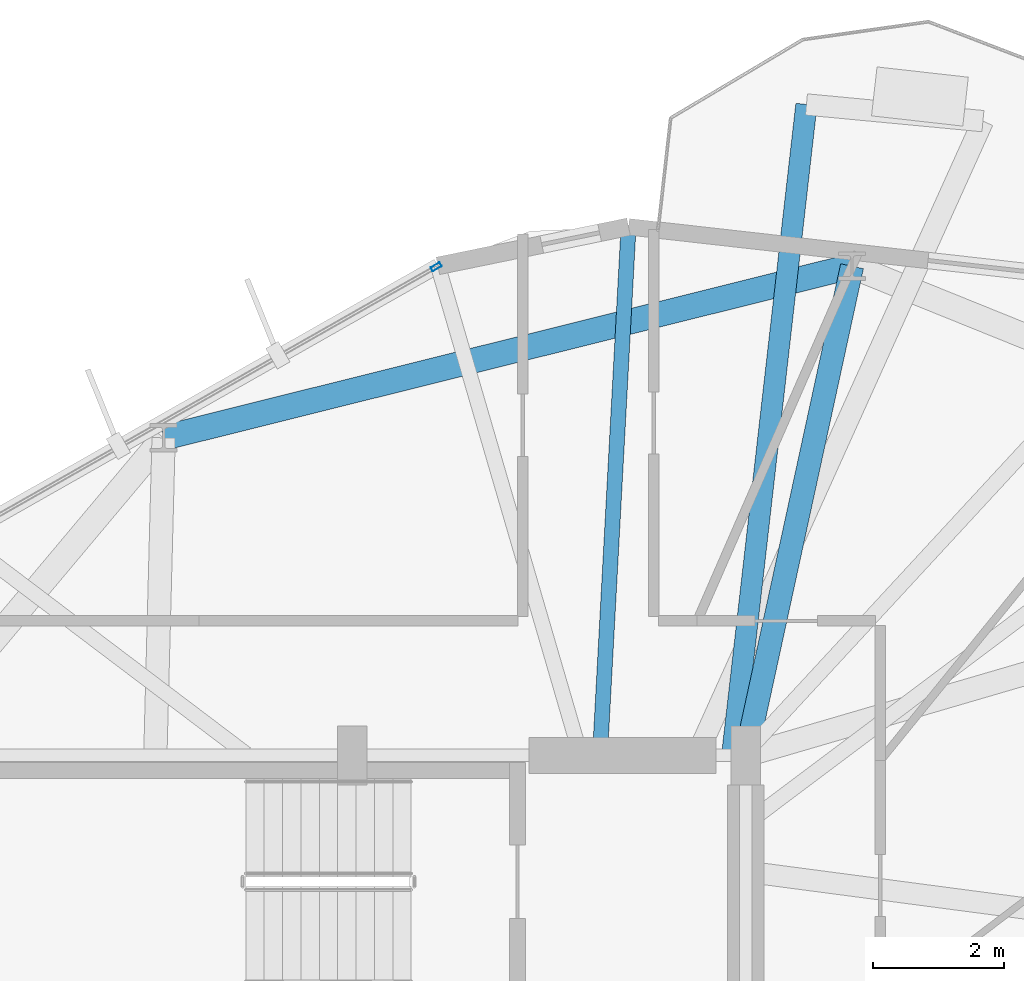
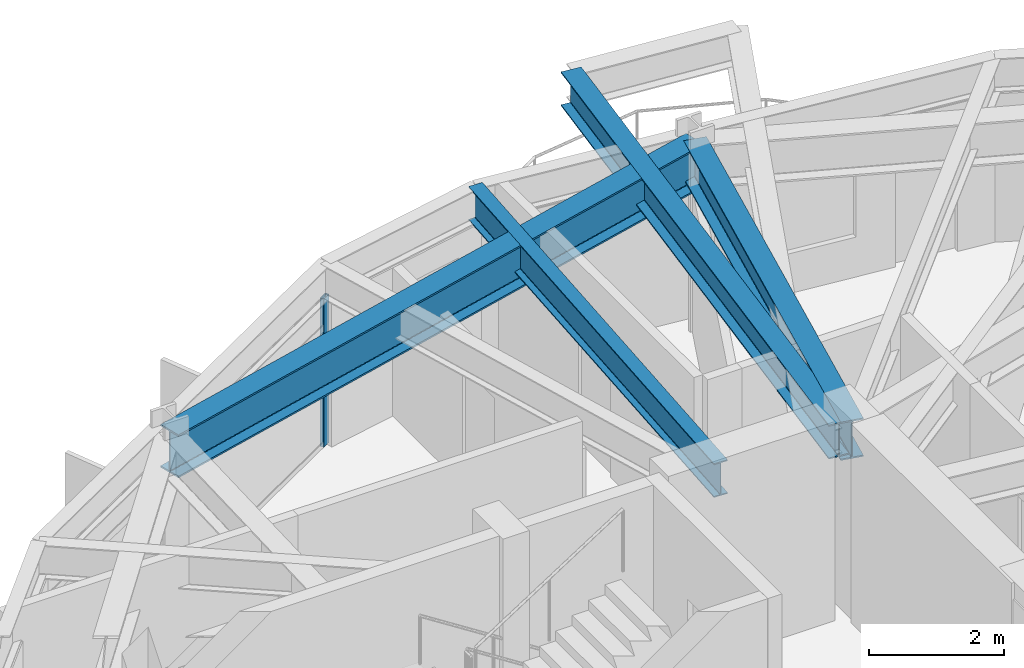
# One storey, part 13 of 22: 4 beams, 1 member, 1 element without a shape of its own.
"""IFC4 building model written with IfcOpenShell, lengths in metres."""

from ifc_helpers import new_model, si_unit, direction, frame, origin, origin_2d, place, context, subcontext, project, spatial, hollow_rectangle, i_section, extrude, material, layer, layer_set, material_profile, profile_set, type_object, element, aggregate, save


model = new_model("IFC4")

# Units and contexts
model_context = context("Model", 3, precision=1e-05, world=origin(), true_north=direction((0.0, 1.0)))
body_context = subcontext(model_context, "Body", "Model", "MODEL_VIEW")
ifc_project = project(units=[si_unit("LENGTHUNIT", "METRE"), si_unit("AREAUNIT", "SQUARE_METRE"), si_unit("VOLUMEUNIT", "CUBIC_METRE"), si_unit("PLANEANGLEUNIT", "RADIAN"), si_unit("MASSUNIT", "GRAM", prefix="KILO")], contexts=[model_context])

# Site, building, storey
site_placement = place(None, origin())
site = spatial("IfcSite", under=ifc_project, at=site_placement, CompositionType="ELEMENT")
building_placement = place(site_placement, origin())
building = spatial("IfcBuilding", under=site, at=building_placement, Name="Soratama Intermodal Tower", CompositionType="ELEMENT")
storey_placement = place(building_placement, frame((0.0, 0.0, 142.60009765625)))
storey = spatial("IfcBuildingStorey", under=building, at=storey_placement, Name="L34", CompositionType="ELEMENT", Elevation=142.60009765625)

# Beams
ifc_material_1 = material(Name="Structural steel ASTM A992 Grade 50", Category="steel")
ifc_material_profile_1 = material_profile(ifc_material_1, i_section(OverallWidth=0.324951171875, OverallDepth=0.615966796875, WebThickness=0.013916015625, FlangeThickness=0.021484375, FilletRadius=0.013916015625, at=origin_2d()), Name="W24X117")
ifc_profile_set_1 = profile_set([ifc_material_profile_1], Name="Structural steel ASTM A992 Grade 50")
beam_type_1 = type_object("IfcBeamType", Name="BM-CANT-W24X117", PredefinedType="BEAM", material=ifc_profile_set_1)
beam_1_placement = place(storey_placement, frame((44.39794921875, 35.0400390625, 2.991943359375), z_axis=(0.113391535789, 0.993550381013, 0.0), x_axis=(-0.993550381013, 0.113391535789, 0.0)))
element("IfcBeam", 1, at=beam_1_placement, inside=storey, type_object=beam_type_1, Name="BM-L34-CANT-2-2", PredefinedType="BEAM", context=body_context, shape_type="SweptSolid", body=[
    extrude(i_section(OverallWidth=0.324951171875, OverallDepth=0.615966796875, WebThickness=0.013916015625, FlangeThickness=0.021484375, FilletRadius=0.013916015625, at=origin_2d()), origin(), (0.0, 0.0, 1.0), 9.947265625),
])
ifc_material_2 = material(Name="Structural steel ASTM A992 Grade 50", Category="steel")
ifc_material_profile_2 = material_profile(ifc_material_2, i_section(OverallWidth=0.35498046875, OverallDepth=0.695068359375, WebThickness=0.015380859375, FlangeThickness=0.02490234375, FilletRadius=0.01611328125, at=origin_2d()), Name="W27X146")
ifc_profile_set_2 = profile_set([ifc_material_profile_2], Name="Structural steel ASTM A992 Grade 50")
beam_type_2 = type_object("IfcBeamType", Name="BM-RING-W27X146", PredefinedType="BEAM", material=ifc_profile_set_2)
beam_2_placement = place(storey_placement, frame((44.60009765625, 35.0, 2.952392578125), z_axis=(0.212399095304, 0.977183004515, 0.0), x_axis=(-0.977183004515, 0.212399095304, 0.0)))
element("IfcBeam", 2, at=beam_2_placement, inside=storey, type_object=beam_type_2, Name="BM-L34-RAD-03", PredefinedType="BEAM", context=body_context, shape_type="SweptSolid", body=[
    extrude(i_section(OverallWidth=0.35498046875, OverallDepth=0.695068359375, WebThickness=0.015380859375, FlangeThickness=0.02490234375, FilletRadius=0.01611328125, at=origin_2d()), origin(), (0.0, 0.0, 1.0), 7.631103515625),
])
ifc_material_3 = material(Name="Structural steel ASTM A992 Grade 50", Category="steel")
ifc_material_profile_3 = material_profile(ifc_material_3, i_section(OverallWidth=0.382080078125, OverallDepth=0.779052734375, WebThickness=0.01806640625, FlangeThickness=0.030029296875, FilletRadius=0.01806640625, at=origin_2d()), Name="W30X191")
ifc_profile_set_3 = profile_set([ifc_material_profile_3], Name="Structural steel ASTM A992 Grade 50")
beam_type_3 = type_object("IfcBeamType", Name="BM-RING-W30X191", PredefinedType="BEAM", material=ifc_profile_set_3)
beam_3_placement = place(storey_placement, frame((46.220947265625, 42.45703125, 2.910400390625), z_axis=(-0.970310893227, -0.241861056155, 0.0), x_axis=(0.241861056155, -0.970310893227, 0.0)))
element("IfcBeam", 3, at=beam_3_placement, inside=storey, type_object=beam_type_3, Name="BM-L34-RING-03", PredefinedType="BEAM", context=body_context, shape_type="SweptSolid", body=[
    extrude(i_section(OverallWidth=0.382080078125, OverallDepth=0.779052734375, WebThickness=0.01806640625, FlangeThickness=0.030029296875, FilletRadius=0.01806640625, at=origin_2d()), origin(), (0.0, 0.0, 1.0), 10.81591796875),
])
ifc_material_4 = material(Name="Structural steel ASTM A992 Grade 50", Category="steel")
ifc_material_profile_4 = material_profile(ifc_material_4, i_section(OverallWidth=0.22900390625, OverallDepth=0.612060546875, WebThickness=0.011962890625, FlangeThickness=0.01953125, FilletRadius=0.012939453125, at=origin_2d()), Name="W24X84")
ifc_profile_set_4 = profile_set([ifc_material_profile_4], Name="Structural steel ASTM A992 Grade 50")
beam_type_4 = type_object("IfcBeamType", Name="BM-TIE-W24X84", PredefinedType="BEAM", material=ifc_profile_set_4)
beam_4_placement = place(storey_placement, frame((42.3798828125, 35.0400390625, 2.993896484375), z_axis=(0.054052266803, 0.998538107662, 0.0), x_axis=(-0.998538107662, 0.054052266803, 0.0)))
element("IfcBeam", 4, at=beam_4_placement, inside=storey, type_object=beam_type_4, Name="BM-L34-TIE1-02", PredefinedType="BEAM", context=body_context, shape_type="SweptSolid", body=[
    extrude(i_section(OverallWidth=0.22900390625, OverallDepth=0.612060546875, WebThickness=0.011962890625, FlangeThickness=0.01953125, FilletRadius=0.012939453125, at=origin_2d()), origin(), (0.0, 0.0, 1.0), 8.03076171875),
])

# Curtain wall, member
ifc_material_5 = material(Name="Double-glazed aluminium curtain wall", Category="aluminium")
ifc_layer = layer(ifc_material_5, 0.159912109375)
ifc_layer_set = layer_set([ifc_layer], Name="Double-glazed aluminium curtain wall")
curtain_wall_type = type_object("IfcCurtainWallType", Name="CW-SYS-4", PredefinedType="NOTDEFINED", material=ifc_layer_set)
curtain_wall_placement = place(storey_placement, origin())
curtain_wall = element("IfcCurtainWall", 5, at=curtain_wall_placement, inside=storey, type_object=curtain_wall_type, Name="L34 Faceted Curtain Wall F03", PredefinedType="NOTDEFINED")
ifc_material_6 = material(Name="Anodised aluminium AA 6063-T6", Category="aluminium")
ifc_material_profile_5 = material_profile(ifc_material_6, hollow_rectangle(XDim=0.070068359375, YDim=0.159912109375, WallThickness=0.0048828125, InnerFilletRadius=0.0048828125, OuterFilletRadius=0.010009765625, at=origin_2d()), Name="CWM160X70X5")
ifc_profile_set_5 = profile_set([ifc_material_profile_5], Name="Anodised aluminium AA 6063-T6")
member_type = type_object("IfcMemberType", Name="MT-CWM-4", PredefinedType="MULLION", material=ifc_profile_set_5)
member_placement = place(storey_placement, frame((39.881591796875, 42.4482421875, 0.0), z_axis=(0.0, 0.0, 1.0), x_axis=(0.493639656351, -0.869666539357, 0.0)))
member = element("IfcMember", 6, at=member_placement, type_object=member_type, Name="CW-4 mullion 1", PredefinedType="MULLION", context=body_context, shape_type="SweptSolid", body=[
    extrude(hollow_rectangle(XDim=0.070068359375, YDim=0.159912109375, WallThickness=0.0048828125, InnerFilletRadius=0.0048828125, OuterFilletRadius=0.010009765625, at=origin_2d()), origin(), (0.0, 0.0, 1.0), 2.678955078125),
])
aggregate(curtain_wall, [member])

save(model, "model.ifc")
